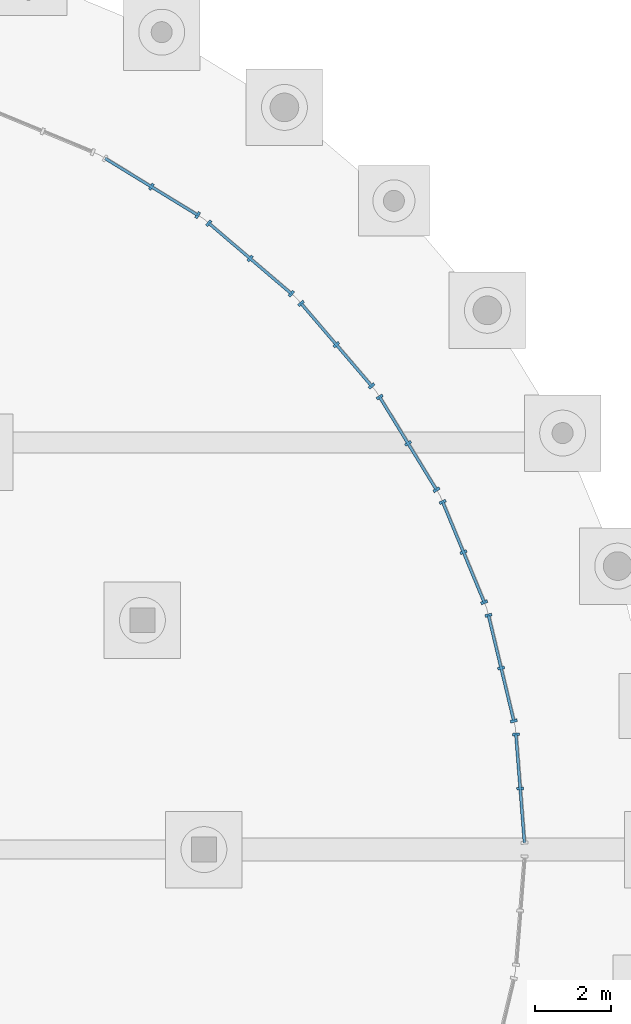
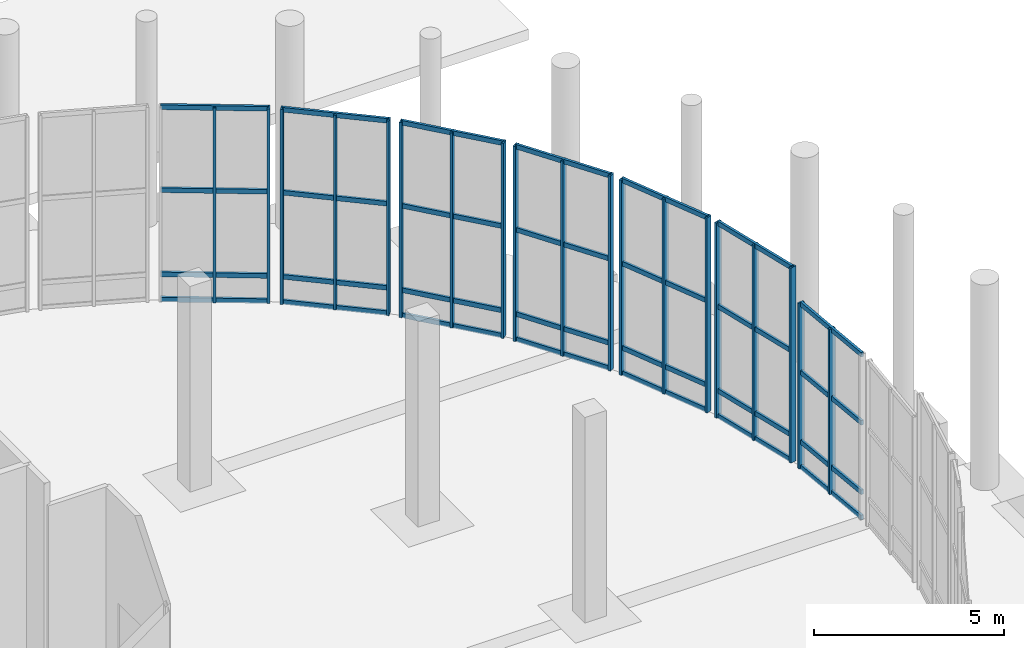
# One storey, part 61 of 117: 47 members, 7 elements without a shape of their own.
"""IFC4 building model written with IfcOpenShell, lengths in metres."""

import ifcopenshell
import ifcopenshell.guid

model = None  # the IFC model being written
_history = None  # IfcOwnerHistory: only IFC2X3 demands one
_inside = {}  # id of a spatial element -> (the spatial element, [elements in it])
_under = {}  # id of a project, library or spatial element -> (it, [spatial elements below it])
_declared = {}  # id of a project -> (the project, [libraries it declares])
_typed = {}  # id of a type object -> (the type object, [elements of that type])
_made_of = {}  # id of a material, layer set ... -> (it, [elements and type objects made of it])


def new_model(schema):
    """Start an empty IFC model of exactly this schema.

    Asked for "IFC4X3", IfcOpenShell would pick the latest addendum, in which some entities
    have other attributes; the version numbers below select the first issue.
    IFC2X3 requires an IfcOwnerHistory on every rooted entity: one is made here for all.
    """
    global model, _history
    if schema == "IFC4X3":
        model = ifcopenshell.file(schema_version=(4, 3, 0, 0))
    else:
        model = ifcopenshell.file(schema=schema)
    _inside.clear()
    _under.clear()
    _declared.clear()
    _typed.clear()
    _made_of.clear()
    _history = None
    if model.schema == "IFC2X3":
        org = make("IfcOrganization", Name="unknown")
        user = make(
            "IfcPersonAndOrganization",
            ThePerson=make("IfcPerson", FamilyName="unknown"),
            TheOrganization=org,
        )
        app = make(
            "IfcApplication",
            ApplicationDeveloper=org,
            Version="unknown",
            ApplicationFullName="unknown",
            ApplicationIdentifier="unknown",
        )
        _history = make(
            "IfcOwnerHistory",
            OwningUser=user,
            OwningApplication=app,
            ChangeAction="ADDED",
            CreationDate=0,
        )
    return model


def make(cls, **values):
    """One entity of the class cls with the attributes given. An attribute that is None is left unset."""
    return model.create_entity(
        cls, **{name: value for name, value in values.items() if value is not None}
    )


def rooted(cls, **values):
    """An entity with a GlobalId (a new one), such as an element, a storey or a relation."""
    return make(cls, GlobalId=ifcopenshell.guid.new(), OwnerHistory=_history, **values)


def si_unit(unit_type, name, prefix=None):
    """IfcSIUnit, for example si_unit("LENGTHUNIT", "METRE", prefix="MILLI")."""
    return make("IfcSIUnit", UnitType=unit_type, Prefix=prefix, Name=name)


def assignment(units):
    """IfcUnitAssignment: the units of a project."""
    return None if units is None else make("IfcUnitAssignment", Units=units)


def point(xyz):
    """IfcCartesianPoint."""
    return None if xyz is None else make("IfcCartesianPoint", Coordinates=xyz)


def direction(xyz):
    """IfcDirection."""
    return None if xyz is None else make("IfcDirection", DirectionRatios=xyz)


def frame(location, z_axis=None, x_axis=None):
    """IfcAxis2Placement3D, a coordinate frame: its origin and axes. An axis left out is left unset."""
    return make(
        "IfcAxis2Placement3D",
        Location=point(location),
        Axis=direction(z_axis),
        RefDirection=direction(x_axis),
    )


def frame_2d(location, x_axis=None):
    """IfcAxis2Placement2D, a coordinate frame in the plane: its origin and x axis."""
    return make(
        "IfcAxis2Placement2D", Location=point(location), RefDirection=direction(x_axis)
    )


def origin():
    """The frame at (0, 0, 0) with its axes left unset."""
    return frame((0.0, 0.0, 0.0))


def origin_2d():
    """The frame at (0, 0) in the plane with its x axis left unset."""
    return frame_2d((0.0, 0.0))


def place(relative_to, where):
    """IfcLocalPlacement: puts the frame where relative to a parent placement (None: the world)."""
    return make(
        "IfcLocalPlacement", PlacementRelTo=relative_to, RelativePlacement=where
    )


def context(
    kind, dimensions, precision=None, world=None, true_north=None, identifier=None
):
    """IfcGeometricRepresentationContext, for example the 3D "Model" context."""
    return make(
        "IfcGeometricRepresentationContext",
        ContextIdentifier=identifier,
        ContextType=kind,
        CoordinateSpaceDimension=dimensions,
        Precision=precision,
        WorldCoordinateSystem=world,
        TrueNorth=true_north,
    )


def subcontext(parent, identifier, kind, view, scale=None):
    """IfcGeometricRepresentationSubContext, for example "Body" below "Model"."""
    return make(
        "IfcGeometricRepresentationSubContext",
        ContextIdentifier=identifier,
        ContextType=kind,
        ParentContext=parent,
        TargetScale=scale,
        TargetView=view,
    )


def project(units=None, contexts=None):
    """IfcProject with its units and contexts."""
    return rooted(
        "IfcProject",
        Name="project",
        RepresentationContexts=contexts,
        UnitsInContext=assignment(units),
    )


def spatial(cls, under=None, at=None, **own):
    """A site, building, storey or space (cls), placed at a placement, below another one or the project."""
    s = rooted(cls, ObjectPlacement=at, **own)
    if under is not None:
        _under.setdefault(under.id(), (under, []))[1].append(s)
    return s


def profile(cls, at=None, kind="AREA", **sizes):
    """A parametric profile (cls). Its sizes go by their IFC names, for example OverallWidth=200.0."""
    return make(cls, ProfileType=kind, Position=at, **sizes)


def rectangle(**sizes):
    """IfcRectangleProfileDef."""
    return profile("IfcRectangleProfileDef", **sizes)


def extrude(swept, where, along, depth):
    """IfcExtrudedAreaSolid: the profile swept, set in the frame where, extruded along a direction by depth."""
    return make(
        "IfcExtrudedAreaSolid",
        SweptArea=swept,
        Position=where,
        ExtrudedDirection=direction(along),
        Depth=depth,
    )


def shape(context_of_items, identifier, shape_type, items):
    """IfcShapeRepresentation: the items that make up one representation, for example the "Body"."""
    return make(
        "IfcShapeRepresentation",
        ContextOfItems=context_of_items,
        RepresentationIdentifier=identifier,
        RepresentationType=shape_type,
        Items=items,
    )


def material(Name=None, Category=None):
    """IfcMaterial."""
    return make("IfcMaterial", Name=Name, Category=Category)


def material_profile(
    of_material, cross_section, Name=None, Category=None, Priority=None
):
    """IfcMaterialProfile: a cross section and its material."""
    return make(
        "IfcMaterialProfile",
        Name=Name,
        Material=of_material,
        Profile=cross_section,
        Priority=Priority,
        Category=Category,
    )


def profile_set(profiles, Name=None, composite=None):
    """IfcMaterialProfileSet."""
    return make(
        "IfcMaterialProfileSet",
        Name=Name,
        MaterialProfiles=profiles,
        CompositeProfile=composite,
    )


def made_of(thing, what):
    """Note that an element or type object is made of a material, layer set ...; save() writes the relation."""
    if what is not None:
        _made_of.setdefault(what.id(), (what, []))[1].append(thing)
    return thing


def type_object(cls, material=None, **own):
    """A type object (cls), such as IfcWallType, which elements share."""
    return made_of(rooted(cls, **own), material)


def element(
    cls,
    number,
    at=None,
    inside=None,
    cuts=None,
    type_object=None,
    material=None,
    context=None,
    identifier="Body",
    shape_type=None,
    held_by="IfcProductDefinitionShape",
    body=None,
    shapes=None,
    **own,
):
    """One element of the class cls, such as IfcWall. Its Tag is "e" and its number.

    at: its placement. inside: the storey or other place that contains it. cuts: it is an
    opening in that element (IfcRelVoidsElement). A single representation is given by context,
    identifier, shape_type and body (its items); several are given by shapes. held_by: the class
    of the entity that holds the representations. save() writes the other relations.
    """
    e = rooted(cls, Tag="e%d" % number, ObjectPlacement=at, **own)
    if body is not None:
        shapes = [shape(context, identifier, shape_type, body)]
    if shapes is not None:
        e.Representation = make(held_by, Representations=shapes)
    if inside is not None:
        _inside.setdefault(inside.id(), (inside, []))[1].append(e)
    if cuts is not None:
        rooted(
            "IfcRelVoidsElement", RelatingBuildingElement=cuts, RelatedOpeningElement=e
        )
    if type_object is not None:
        _typed.setdefault(type_object.id(), (type_object, []))[1].append(e)
    return made_of(e, material)


def aggregate(whole, parts):
    """IfcRelAggregates: a whole, such as a stair, and the parts it consists of."""
    return rooted("IfcRelAggregates", RelatingObject=whole, RelatedObjects=parts)


def save(model, path):
    """Write the relations noted so far, then the file.

    IfcRelAggregates (storeys below a building ...), IfcRelContainedInSpatialStructure (elements
    in a storey), IfcRelDefinesByType, IfcRelAssociatesMaterial and IfcRelDeclares: one each for
    every whole, place, type object, material and project.
    """
    for whole, parts in _under.values():
        aggregate(whole, parts)
    for where, things in _inside.values():
        rooted(
            "IfcRelContainedInSpatialStructure",
            RelatedElements=things,
            RelatingStructure=where,
        )
    for kind, things in _typed.values():
        rooted("IfcRelDefinesByType", RelatedObjects=things, RelatingType=kind)
    for what, things in _made_of.values():
        rooted("IfcRelAssociatesMaterial", RelatedObjects=things, RelatingMaterial=what)
    for by, libraries in _declared.values():
        rooted("IfcRelDeclares", RelatingContext=by, RelatedDefinitions=libraries)
    model.write(path)


model = new_model("IFC4")

# Units and contexts
model_context = context("Model", 3, precision=1e-05, world=origin(), true_north=direction((0.0, 1.0)))
body_context = subcontext(model_context, "Body", "Model", "MODEL_VIEW")
ifc_project = project(units=[si_unit("LENGTHUNIT", "METRE"), si_unit("AREAUNIT", "SQUARE_METRE"), si_unit("VOLUMEUNIT", "CUBIC_METRE"), si_unit("PLANEANGLEUNIT", "RADIAN"), si_unit("MASSUNIT", "GRAM", prefix="KILO")], contexts=[model_context])

# Site, building, storey
site_placement = place(None, origin())
site = spatial("IfcSite", under=ifc_project, at=site_placement, CompositionType="ELEMENT")
building_placement = place(site_placement, origin())
building = spatial("IfcBuilding", under=site, at=building_placement, Name="Kamomehara Wholesale Market", CompositionType="ELEMENT")
storey_placement = place(building_placement, origin())
storey = spatial("IfcBuildingStorey", under=building, at=storey_placement, Name="L00", CompositionType="ELEMENT", Elevation=0.0)

# Curtain wall, members
ifc_material_1 = material(Name="Anodised aluminium 6063-T5", Category="aluminium")
curtain_wall_type = type_object("IfcCurtainWallType", Name="CW-UN-07", PredefinedType="NOTDEFINED", material=ifc_material_1)
curtain_wall_1_placement = place(storey_placement, origin())
curtain_wall_1 = element("IfcCurtainWall", 1, at=curtain_wall_1_placement, inside=storey, type_object=curtain_wall_type, Name="Unitised curtain wall CW-032", PredefinedType="NOTDEFINED")
ifc_material_2 = material(Name="Anodised aluminium 6063-T5", Category="aluminium")
ifc_material_profile_1 = material_profile(ifc_material_2, rectangle(XDim=0.074951171875, YDim=0.179931640625, at=origin_2d()), Name="ALU-MUL-75x180")
ifc_profile_set_1 = profile_set([ifc_material_profile_1], Name="Anodised aluminium 6063-T5")
member_type_1 = type_object("IfcMemberType", Name="CW-MUL-180", PredefinedType="MULLION", material=ifc_profile_set_1)
member_1_placement = place(storey_placement, frame((190.6259765625, 149.341064453125, 0.0), z_axis=(0.0, 0.0, 1.0), x_axis=(0.852707640213, -0.52238843816, 0.0)))
member_1 = element("IfcMember", 2, at=member_1_placement, type_object=member_type_1, Name="Mullion CW-032.1", PredefinedType="MULLION", context=body_context, shape_type="SweptSolid", body=[
    extrude(rectangle(XDim=0.074951171875, YDim=0.179931640625, at=origin_2d()), origin(), (0.0, 0.0, 1.0), 6.2548828125),
])
member_2_placement = place(storey_placement, frame((191.837890625, 148.597900390625, 0.0), z_axis=(0.0, 0.0, 1.0), x_axis=(0.852707640213, -0.52238843816, 0.0)))
member_2 = element("IfcMember", 3, at=member_2_placement, type_object=member_type_1, Name="Mullion CW-032.2", PredefinedType="MULLION", context=body_context, shape_type="SweptSolid", body=[
    extrude(rectangle(XDim=0.074951171875, YDim=0.179931640625, at=origin_2d()), origin(), (0.0, 0.0, 1.0), 6.2548828125),
])

curtain_wall_2_placement = place(storey_placement, origin())
curtain_wall_2 = element("IfcCurtainWall", 4, at=curtain_wall_2_placement, inside=storey, type_object=curtain_wall_type, Name="Unitised curtain wall CW-033", PredefinedType="NOTDEFINED")
member_3_placement = place(storey_placement, frame((192.1279296875, 148.386962890625, 0.0), z_axis=(0.0, 0.0, 1.0), x_axis=(0.760374226673, -0.649485208, 0.0)))
member_3 = element("IfcMember", 5, at=member_3_placement, type_object=member_type_1, Name="Mullion CW-033.0", PredefinedType="MULLION", context=body_context, shape_type="SweptSolid", body=[
    extrude(rectangle(XDim=0.074951171875, YDim=0.179931640625, at=origin_2d()), origin(), (0.0, 0.0, 1.0), 6.2548828125),
])
member_4_placement = place(storey_placement, frame((193.2080078125, 147.464111328125, 0.0), z_axis=(0.0, 0.0, 1.0), x_axis=(0.760374226673, -0.649485208, 0.0)))
member_4 = element("IfcMember", 6, at=member_4_placement, type_object=member_type_1, Name="Mullion CW-033.1", PredefinedType="MULLION", context=body_context, shape_type="SweptSolid", body=[
    extrude(rectangle(XDim=0.074951171875, YDim=0.179931640625, at=origin_2d()), origin(), (0.0, 0.0, 1.0), 6.2548828125),
])
member_5_placement = place(storey_placement, frame((194.2880859375, 146.5419921875, 0.0), z_axis=(0.0, 0.0, 1.0), x_axis=(0.760374226673, -0.649485208, 0.0)))
member_5 = element("IfcMember", 7, at=member_5_placement, type_object=member_type_1, Name="Mullion CW-033.2", PredefinedType="MULLION", context=body_context, shape_type="SweptSolid", body=[
    extrude(rectangle(XDim=0.074951171875, YDim=0.179931640625, at=origin_2d()), origin(), (0.0, 0.0, 1.0), 6.2548828125),
])

curtain_wall_3_placement = place(storey_placement, origin())
curtain_wall_3 = element("IfcCurtainWall", 8, at=curtain_wall_3_placement, inside=storey, type_object=curtain_wall_type, Name="Unitised curtain wall CW-034", PredefinedType="NOTDEFINED")
member_6_placement = place(storey_placement, frame((194.5419921875, 146.2880859375, 0.0), z_axis=(0.0, 0.0, 1.0), x_axis=(0.649485208, -0.760374226673, 0.0)))
member_6 = element("IfcMember", 9, at=member_6_placement, type_object=member_type_1, Name="Mullion CW-034.0", PredefinedType="MULLION", context=body_context, shape_type="SweptSolid", body=[
    extrude(rectangle(XDim=0.074951171875, YDim=0.179931640625, at=origin_2d()), origin(), (0.0, 0.0, 1.0), 6.264892578125),
])
member_7_placement = place(storey_placement, frame((195.464111328125, 145.2080078125, 0.0), z_axis=(0.0, 0.0, 1.0), x_axis=(0.649485208, -0.760374226673, 0.0)))
member_7 = element("IfcMember", 10, at=member_7_placement, type_object=member_type_1, Name="Mullion CW-034.1", PredefinedType="MULLION", context=body_context, shape_type="SweptSolid", body=[
    extrude(rectangle(XDim=0.074951171875, YDim=0.179931640625, at=origin_2d()), origin(), (0.0, 0.0, 1.0), 6.264892578125),
])
member_8_placement = place(storey_placement, frame((196.386962890625, 144.1279296875, 0.0), z_axis=(0.0, 0.0, 1.0), x_axis=(0.649485208, -0.760374226673, 0.0)))
member_8 = element("IfcMember", 11, at=member_8_placement, type_object=member_type_1, Name="Mullion CW-034.2", PredefinedType="MULLION", context=body_context, shape_type="SweptSolid", body=[
    extrude(rectangle(XDim=0.074951171875, YDim=0.179931640625, at=origin_2d()), origin(), (0.0, 0.0, 1.0), 6.264892578125),
])

curtain_wall_4_placement = place(storey_placement, origin())
curtain_wall_4 = element("IfcCurtainWall", 12, at=curtain_wall_4_placement, inside=storey, type_object=curtain_wall_type, Name="Unitised curtain wall CW-035", PredefinedType="NOTDEFINED")
member_9_placement = place(storey_placement, frame((196.597900390625, 143.837890625, 0.0), z_axis=(0.0, 0.0, 1.0), x_axis=(0.52238843816, -0.852707640213, 0.0)))
member_9 = element("IfcMember", 13, at=member_9_placement, type_object=member_type_1, Name="Mullion CW-035.0", PredefinedType="MULLION", context=body_context, shape_type="SweptSolid", body=[
    extrude(rectangle(XDim=0.074951171875, YDim=0.179931640625, at=origin_2d()), origin(), (0.0, 0.0, 1.0), 6.264892578125),
])
member_10_placement = place(storey_placement, frame((197.341064453125, 142.6259765625, 0.0), z_axis=(0.0, 0.0, 1.0), x_axis=(0.52238843816, -0.852707640213, 0.0)))
member_10 = element("IfcMember", 14, at=member_10_placement, type_object=member_type_1, Name="Mullion CW-035.1", PredefinedType="MULLION", context=body_context, shape_type="SweptSolid", body=[
    extrude(rectangle(XDim=0.074951171875, YDim=0.179931640625, at=origin_2d()), origin(), (0.0, 0.0, 1.0), 6.264892578125),
])
member_11_placement = place(storey_placement, frame((198.0830078125, 141.4140625, 0.0), z_axis=(0.0, 0.0, 1.0), x_axis=(0.52238843816, -0.852707640213, 0.0)))
member_11 = element("IfcMember", 15, at=member_11_placement, type_object=member_type_1, Name="Mullion CW-035.2", PredefinedType="MULLION", context=body_context, shape_type="SweptSolid", body=[
    extrude(rectangle(XDim=0.074951171875, YDim=0.179931640625, at=origin_2d()), origin(), (0.0, 0.0, 1.0), 6.264892578125),
])

curtain_wall_5_placement = place(storey_placement, origin())
curtain_wall_5 = element("IfcCurtainWall", 16, at=curtain_wall_5_placement, inside=storey, type_object=curtain_wall_type, Name="Unitised curtain wall CW-036", PredefinedType="NOTDEFINED")
member_12_placement = place(storey_placement, frame((198.24609375, 141.094970703125, 0.0), z_axis=(0.0, 0.0, 1.0), x_axis=(0.382589906914, -0.923918266476, 0.0)))
member_12 = element("IfcMember", 17, at=member_12_placement, type_object=member_type_1, Name="Mullion CW-036.0", PredefinedType="MULLION", context=body_context, shape_type="SweptSolid", body=[
    extrude(rectangle(XDim=0.074951171875, YDim=0.179931640625, at=origin_2d()), origin(), (0.0, 0.0, 1.0), 6.264892578125),
])
member_13_placement = place(storey_placement, frame((198.7900390625, 139.781982421875, 0.0), z_axis=(0.0, 0.0, 1.0), x_axis=(0.382589906914, -0.923918266476, 0.0)))
member_13 = element("IfcMember", 18, at=member_13_placement, type_object=member_type_1, Name="Mullion CW-036.1", PredefinedType="MULLION", context=body_context, shape_type="SweptSolid", body=[
    extrude(rectangle(XDim=0.074951171875, YDim=0.179931640625, at=origin_2d()), origin(), (0.0, 0.0, 1.0), 6.264892578125),
])
member_14_placement = place(storey_placement, frame((199.3330078125, 138.469970703125, 0.0), z_axis=(0.0, 0.0, 1.0), x_axis=(0.382589906914, -0.923918266476, 0.0)))
member_14 = element("IfcMember", 19, at=member_14_placement, type_object=member_type_1, Name="Mullion CW-036.2", PredefinedType="MULLION", context=body_context, shape_type="SweptSolid", body=[
    extrude(rectangle(XDim=0.074951171875, YDim=0.179931640625, at=origin_2d()), origin(), (0.0, 0.0, 1.0), 6.264892578125),
])

curtain_wall_6_placement = place(storey_placement, origin())
curtain_wall_6 = element("IfcCurtainWall", 20, at=curtain_wall_6_placement, inside=storey, type_object=curtain_wall_type, Name="Unitised curtain wall CW-037", PredefinedType="NOTDEFINED")
member_15_placement = place(storey_placement, frame((199.444091796875, 138.12890625, 0.0), z_axis=(0.0, 0.0, 1.0), x_axis=(0.233333353333, -0.972396804922, 0.0)))
member_15 = element("IfcMember", 21, at=member_15_placement, type_object=member_type_1, Name="Mullion CW-037.0", PredefinedType="MULLION", context=body_context, shape_type="SweptSolid", body=[
    extrude(rectangle(XDim=0.074951171875, YDim=0.179931640625, at=origin_2d()), origin(), (0.0, 0.0, 1.0), 6.264892578125),
])
member_16_placement = place(storey_placement, frame((199.77490234375, 136.748046875, 0.0), z_axis=(0.0, 0.0, 1.0), x_axis=(0.233333353333, -0.972396804922, 0.0)))
member_16 = element("IfcMember", 22, at=member_16_placement, type_object=member_type_1, Name="Mullion CW-037.1", PredefinedType="MULLION", context=body_context, shape_type="SweptSolid", body=[
    extrude(rectangle(XDim=0.074951171875, YDim=0.179931640625, at=origin_2d()), origin(), (0.0, 0.0, 1.0), 6.264892578125),
])
member_17_placement = place(storey_placement, frame((200.10693359375, 135.365966796875, 0.0), z_axis=(0.0, 0.0, 1.0), x_axis=(0.233333353333, -0.972396804922, 0.0)))
member_17 = element("IfcMember", 23, at=member_17_placement, type_object=member_type_1, Name="Mullion CW-037.2", PredefinedType="MULLION", context=body_context, shape_type="SweptSolid", body=[
    extrude(rectangle(XDim=0.074951171875, YDim=0.179931640625, at=origin_2d()), origin(), (0.0, 0.0, 1.0), 6.264892578125),
])

curtain_wall_7_placement = place(storey_placement, origin())
curtain_wall_7 = element("IfcCurtainWall", 24, at=curtain_wall_7_placement, inside=storey, type_object=curtain_wall_type, Name="Unitised curtain wall CW-038", PredefinedType="NOTDEFINED")
member_18_placement = place(storey_placement, frame((200.1630859375, 135.011962890625, 0.0), z_axis=(0.0, 0.0, 1.0), x_axis=(0.078473015312, -0.99691623814, 0.0)))
member_18 = element("IfcMember", 25, at=member_18_placement, type_object=member_type_1, Name="Mullion CW-038.0", PredefinedType="MULLION", context=body_context, shape_type="SweptSolid", body=[
    extrude(rectangle(XDim=0.074951171875, YDim=0.179931640625, at=origin_2d()), origin(), (0.0, 0.0, 1.0), 5.30810546875),
])
member_19_placement = place(storey_placement, frame((200.27392578125, 133.595947265625, 0.0), z_axis=(0.0, 0.0, 1.0), x_axis=(0.078473015312, -0.99691623814, 0.0)))
member_19 = element("IfcMember", 26, at=member_19_placement, type_object=member_type_1, Name="Mullion CW-038.1", PredefinedType="MULLION", context=body_context, shape_type="SweptSolid", body=[
    extrude(rectangle(XDim=0.074951171875, YDim=0.179931640625, at=origin_2d()), origin(), (0.0, 0.0, 1.0), 5.30810546875),
])

# Member
ifc_material_3 = material(Name="Anodised aluminium 6063-T5", Category="aluminium")
ifc_material_profile_2 = material_profile(ifc_material_3, rectangle(XDim=0.074951171875, YDim=0.14990234375, at=origin_2d()), Name="ALU-TRN-75x150")
ifc_profile_set_2 = profile_set([ifc_material_profile_2], Name="Anodised aluminium 6063-T5")
member_type_2 = type_object("IfcMemberType", Name="CW-TRN-150", PredefinedType="USERDEFINED", material=ifc_profile_set_2)
member_20_placement = place(storey_placement, frame((189.4140625, 150.0830078125, 0.0400390625), z_axis=(0.852674071638, -0.522443229027, 0.0), x_axis=(0.522443229027, 0.852674071638, 0.0)))
member_20 = element("IfcMember", 27, at=member_20_placement, type_object=member_type_2, Name="Transom CW-032.0", ObjectType="TRANSOM", PredefinedType="USERDEFINED", context=body_context, shape_type="SweptSolid", body=[
    extrude(rectangle(XDim=0.074951171875, YDim=0.14990234375, at=origin_2d()), origin(), (0.0, 0.0, 1.0), 2.842529296875),
])

member_21_placement = place(storey_placement, frame((189.4140625, 150.0830078125, 0.85009765625), z_axis=(0.852674071638, -0.522443229027, 0.0), x_axis=(0.522443229027, 0.852674071638, 0.0)))
member_21 = element("IfcMember", 28, at=member_21_placement, type_object=member_type_2, Name="Transom CW-032.1", ObjectType="TRANSOM", PredefinedType="USERDEFINED", context=body_context, shape_type="SweptSolid", body=[
    extrude(rectangle(XDim=0.074951171875, YDim=0.14990234375, at=origin_2d()), origin(), (0.0, 0.0, 1.0), 2.842529296875),
])

member_22_placement = place(storey_placement, frame((189.4140625, 150.0830078125, 3.552001953125), z_axis=(0.852674071638, -0.522443229027, 0.0), x_axis=(0.522443229027, 0.852674071638, 0.0)))
member_22 = element("IfcMember", 29, at=member_22_placement, type_object=member_type_2, Name="Transom CW-032.2", ObjectType="TRANSOM", PredefinedType="USERDEFINED", context=body_context, shape_type="SweptSolid", body=[
    extrude(rectangle(XDim=0.074951171875, YDim=0.14990234375, at=origin_2d()), origin(), (0.0, 0.0, 1.0), 2.842529296875),
])

member_23_placement = place(storey_placement, frame((189.4140625, 150.0830078125, 6.215087890625), z_axis=(0.852674071638, -0.522443229027, 0.0), x_axis=(0.522443229027, 0.852674071638, 0.0)))
member_23 = element("IfcMember", 30, at=member_23_placement, type_object=member_type_2, Name="Transom CW-032.3", ObjectType="TRANSOM", PredefinedType="USERDEFINED", context=body_context, shape_type="SweptSolid", body=[
    extrude(rectangle(XDim=0.074951171875, YDim=0.14990234375, at=origin_2d()), origin(), (0.0, 0.0, 1.0), 2.842529296875),
])

aggregate(curtain_wall_1, [member_1, member_2, member_20, member_21, member_22, member_23])

member_24_placement = place(storey_placement, frame((192.1279296875, 148.386962890625, 0.0400390625), z_axis=(0.760401972076, -0.649452724116, 0.0), x_axis=(0.649452724116, 0.760401972076, 0.0)))
member_24 = element("IfcMember", 31, at=member_24_placement, type_object=member_type_2, Name="Transom CW-033.0", ObjectType="TRANSOM", PredefinedType="USERDEFINED", context=body_context, shape_type="SweptSolid", body=[
    extrude(rectangle(XDim=0.074951171875, YDim=0.14990234375, at=origin_2d()), origin(), (0.0, 0.0, 1.0), 2.8408203125),
])

member_25_placement = place(storey_placement, frame((192.1279296875, 148.386962890625, 0.85009765625), z_axis=(0.760401972076, -0.649452724116, 0.0), x_axis=(0.649452724116, 0.760401972076, 0.0)))
member_25 = element("IfcMember", 32, at=member_25_placement, type_object=member_type_2, Name="Transom CW-033.1", ObjectType="TRANSOM", PredefinedType="USERDEFINED", context=body_context, shape_type="SweptSolid", body=[
    extrude(rectangle(XDim=0.074951171875, YDim=0.14990234375, at=origin_2d()), origin(), (0.0, 0.0, 1.0), 2.8408203125),
])

member_26_placement = place(storey_placement, frame((192.1279296875, 148.386962890625, 3.552001953125), z_axis=(0.760401972076, -0.649452724116, 0.0), x_axis=(0.649452724116, 0.760401972076, 0.0)))
member_26 = element("IfcMember", 33, at=member_26_placement, type_object=member_type_2, Name="Transom CW-033.2", ObjectType="TRANSOM", PredefinedType="USERDEFINED", context=body_context, shape_type="SweptSolid", body=[
    extrude(rectangle(XDim=0.074951171875, YDim=0.14990234375, at=origin_2d()), origin(), (0.0, 0.0, 1.0), 2.8408203125),
])

member_27_placement = place(storey_placement, frame((192.1279296875, 148.386962890625, 6.215087890625), z_axis=(0.760401972076, -0.649452724116, 0.0), x_axis=(0.649452724116, 0.760401972076, 0.0)))
member_27 = element("IfcMember", 34, at=member_27_placement, type_object=member_type_2, Name="Transom CW-033.3", ObjectType="TRANSOM", PredefinedType="USERDEFINED", context=body_context, shape_type="SweptSolid", body=[
    extrude(rectangle(XDim=0.074951171875, YDim=0.14990234375, at=origin_2d()), origin(), (0.0, 0.0, 1.0), 2.8408203125),
])

aggregate(curtain_wall_2, [member_3, member_4, member_5, member_24, member_25, member_26, member_27])

member_28_placement = place(storey_placement, frame((194.5419921875, 146.2880859375, 0.0400390625), z_axis=(0.649452724116, -0.760401972076, 0.0), x_axis=(0.760401972076, 0.649452724116, 0.0)))
member_28 = element("IfcMember", 35, at=member_28_placement, type_object=member_type_2, Name="Transom CW-034.0", ObjectType="TRANSOM", PredefinedType="USERDEFINED", context=body_context, shape_type="SweptSolid", body=[
    extrude(rectangle(XDim=0.074951171875, YDim=0.14990234375, at=origin_2d()), origin(), (0.0, 0.0, 1.0), 2.8408203125),
])

member_29_placement = place(storey_placement, frame((194.5419921875, 146.2880859375, 0.85009765625), z_axis=(0.649452724116, -0.760401972076, 0.0), x_axis=(0.760401972076, 0.649452724116, 0.0)))
member_29 = element("IfcMember", 36, at=member_29_placement, type_object=member_type_2, Name="Transom CW-034.1", ObjectType="TRANSOM", PredefinedType="USERDEFINED", context=body_context, shape_type="SweptSolid", body=[
    extrude(rectangle(XDim=0.074951171875, YDim=0.14990234375, at=origin_2d()), origin(), (0.0, 0.0, 1.0), 2.8408203125),
])

member_30_placement = place(storey_placement, frame((194.5419921875, 146.2880859375, 3.556884765625), z_axis=(0.649452724116, -0.760401972076, 0.0), x_axis=(0.760401972076, 0.649452724116, 0.0)))
member_30 = element("IfcMember", 37, at=member_30_placement, type_object=member_type_2, Name="Transom CW-034.2", ObjectType="TRANSOM", PredefinedType="USERDEFINED", context=body_context, shape_type="SweptSolid", body=[
    extrude(rectangle(XDim=0.074951171875, YDim=0.14990234375, at=origin_2d()), origin(), (0.0, 0.0, 1.0), 2.8408203125),
])

member_31_placement = place(storey_placement, frame((194.5419921875, 146.2880859375, 6.22509765625), z_axis=(0.649452724116, -0.760401972076, 0.0), x_axis=(0.760401972076, 0.649452724116, 0.0)))
member_31 = element("IfcMember", 38, at=member_31_placement, type_object=member_type_2, Name="Transom CW-034.3", ObjectType="TRANSOM", PredefinedType="USERDEFINED", context=body_context, shape_type="SweptSolid", body=[
    extrude(rectangle(XDim=0.074951171875, YDim=0.14990234375, at=origin_2d()), origin(), (0.0, 0.0, 1.0), 2.8408203125),
])

aggregate(curtain_wall_3, [member_6, member_7, member_8, member_28, member_29, member_30, member_31])

member_32_placement = place(storey_placement, frame((196.597900390625, 143.837890625, 0.0400390625), z_axis=(0.522443229027, -0.852674071638, 0.0), x_axis=(0.852674071638, 0.522443229027, 0.0)))
member_32 = element("IfcMember", 39, at=member_32_placement, type_object=member_type_2, Name="Transom CW-035.0", ObjectType="TRANSOM", PredefinedType="USERDEFINED", context=body_context, shape_type="SweptSolid", body=[
    extrude(rectangle(XDim=0.074951171875, YDim=0.14990234375, at=origin_2d()), origin(), (0.0, 0.0, 1.0), 2.842529296875),
])

member_33_placement = place(storey_placement, frame((196.597900390625, 143.837890625, 0.85009765625), z_axis=(0.522443229027, -0.852674071638, 0.0), x_axis=(0.852674071638, 0.522443229027, 0.0)))
member_33 = element("IfcMember", 40, at=member_33_placement, type_object=member_type_2, Name="Transom CW-035.1", ObjectType="TRANSOM", PredefinedType="USERDEFINED", context=body_context, shape_type="SweptSolid", body=[
    extrude(rectangle(XDim=0.074951171875, YDim=0.14990234375, at=origin_2d()), origin(), (0.0, 0.0, 1.0), 2.842529296875),
])

member_34_placement = place(storey_placement, frame((196.597900390625, 143.837890625, 3.556884765625), z_axis=(0.522443229027, -0.852674071638, 0.0), x_axis=(0.852674071638, 0.522443229027, 0.0)))
member_34 = element("IfcMember", 41, at=member_34_placement, type_object=member_type_2, Name="Transom CW-035.2", ObjectType="TRANSOM", PredefinedType="USERDEFINED", context=body_context, shape_type="SweptSolid", body=[
    extrude(rectangle(XDim=0.074951171875, YDim=0.14990234375, at=origin_2d()), origin(), (0.0, 0.0, 1.0), 2.842529296875),
])

member_35_placement = place(storey_placement, frame((196.597900390625, 143.837890625, 6.22509765625), z_axis=(0.522443229027, -0.852674071638, 0.0), x_axis=(0.852674071638, 0.522443229027, 0.0)))
member_35 = element("IfcMember", 42, at=member_35_placement, type_object=member_type_2, Name="Transom CW-035.3", ObjectType="TRANSOM", PredefinedType="USERDEFINED", context=body_context, shape_type="SweptSolid", body=[
    extrude(rectangle(XDim=0.074951171875, YDim=0.14990234375, at=origin_2d()), origin(), (0.0, 0.0, 1.0), 2.842529296875),
])

aggregate(curtain_wall_4, [member_9, member_10, member_11, member_32, member_33, member_34, member_35])

member_36_placement = place(storey_placement, frame((198.24609375, 141.094970703125, 0.0400390625), z_axis=(0.382564297979, -0.923928870591, 0.0), x_axis=(0.923928870591, 0.382564297979, 0.0)))
member_36 = element("IfcMember", 43, at=member_36_placement, type_object=member_type_2, Name="Transom CW-036.0", ObjectType="TRANSOM", PredefinedType="USERDEFINED", context=body_context, shape_type="SweptSolid", body=[
    extrude(rectangle(XDim=0.074951171875, YDim=0.14990234375, at=origin_2d()), origin(), (0.0, 0.0, 1.0), 2.841064453125),
])

member_37_placement = place(storey_placement, frame((198.24609375, 141.094970703125, 0.85009765625), z_axis=(0.382564297979, -0.923928870591, 0.0), x_axis=(0.923928870591, 0.382564297979, 0.0)))
member_37 = element("IfcMember", 44, at=member_37_placement, type_object=member_type_2, Name="Transom CW-036.1", ObjectType="TRANSOM", PredefinedType="USERDEFINED", context=body_context, shape_type="SweptSolid", body=[
    extrude(rectangle(XDim=0.074951171875, YDim=0.14990234375, at=origin_2d()), origin(), (0.0, 0.0, 1.0), 2.841064453125),
])

member_38_placement = place(storey_placement, frame((198.24609375, 141.094970703125, 3.556884765625), z_axis=(0.382564297979, -0.923928870591, 0.0), x_axis=(0.923928870591, 0.382564297979, 0.0)))
member_38 = element("IfcMember", 45, at=member_38_placement, type_object=member_type_2, Name="Transom CW-036.2", ObjectType="TRANSOM", PredefinedType="USERDEFINED", context=body_context, shape_type="SweptSolid", body=[
    extrude(rectangle(XDim=0.074951171875, YDim=0.14990234375, at=origin_2d()), origin(), (0.0, 0.0, 1.0), 2.841064453125),
])

member_39_placement = place(storey_placement, frame((198.24609375, 141.094970703125, 6.22509765625), z_axis=(0.382564297979, -0.923928870591, 0.0), x_axis=(0.923928870591, 0.382564297979, 0.0)))
member_39 = element("IfcMember", 46, at=member_39_placement, type_object=member_type_2, Name="Transom CW-036.3", ObjectType="TRANSOM", PredefinedType="USERDEFINED", context=body_context, shape_type="SweptSolid", body=[
    extrude(rectangle(XDim=0.074951171875, YDim=0.14990234375, at=origin_2d()), origin(), (0.0, 0.0, 1.0), 2.841064453125),
])

aggregate(curtain_wall_5, [member_12, member_13, member_14, member_36, member_37, member_38, member_39])

member_40_placement = place(storey_placement, frame((199.444091796875, 138.12890625, 0.0400390625), z_axis=(0.23328520707, -0.972408356691, 0.0), x_axis=(0.972408356691, 0.23328520707, 0.0)))
member_40 = element("IfcMember", 47, at=member_40_placement, type_object=member_type_2, Name="Transom CW-037.0", ObjectType="TRANSOM", PredefinedType="USERDEFINED", context=body_context, shape_type="SweptSolid", body=[
    extrude(rectangle(XDim=0.074951171875, YDim=0.14990234375, at=origin_2d()), origin(), (0.0, 0.0, 1.0), 2.84130859375),
])

member_41_placement = place(storey_placement, frame((199.444091796875, 138.12890625, 0.85009765625), z_axis=(0.23328520707, -0.972408356691, 0.0), x_axis=(0.972408356691, 0.23328520707, 0.0)))
member_41 = element("IfcMember", 48, at=member_41_placement, type_object=member_type_2, Name="Transom CW-037.1", ObjectType="TRANSOM", PredefinedType="USERDEFINED", context=body_context, shape_type="SweptSolid", body=[
    extrude(rectangle(XDim=0.074951171875, YDim=0.14990234375, at=origin_2d()), origin(), (0.0, 0.0, 1.0), 2.84130859375),
])

member_42_placement = place(storey_placement, frame((199.444091796875, 138.12890625, 3.556884765625), z_axis=(0.23328520707, -0.972408356691, 0.0), x_axis=(0.972408356691, 0.23328520707, 0.0)))
member_42 = element("IfcMember", 49, at=member_42_placement, type_object=member_type_2, Name="Transom CW-037.2", ObjectType="TRANSOM", PredefinedType="USERDEFINED", context=body_context, shape_type="SweptSolid", body=[
    extrude(rectangle(XDim=0.074951171875, YDim=0.14990234375, at=origin_2d()), origin(), (0.0, 0.0, 1.0), 2.84130859375),
])

member_43_placement = place(storey_placement, frame((199.444091796875, 138.12890625, 6.22509765625), z_axis=(0.23328520707, -0.972408356691, 0.0), x_axis=(0.972408356691, 0.23328520707, 0.0)))
member_43 = element("IfcMember", 50, at=member_43_placement, type_object=member_type_2, Name="Transom CW-037.3", ObjectType="TRANSOM", PredefinedType="USERDEFINED", context=body_context, shape_type="SweptSolid", body=[
    extrude(rectangle(XDim=0.074951171875, YDim=0.14990234375, at=origin_2d()), origin(), (0.0, 0.0, 1.0), 2.84130859375),
])

aggregate(curtain_wall_6, [member_15, member_16, member_17, member_40, member_41, member_42, member_43])

member_44_placement = place(storey_placement, frame((200.1630859375, 135.011962890625, 0.0400390625), z_axis=(0.078437356733, -0.996919044391, 0.0), x_axis=(0.996919044391, 0.078437356733, 0.0)))
member_44 = element("IfcMember", 51, at=member_44_placement, type_object=member_type_2, Name="Transom CW-038.0", ObjectType="TRANSOM", PredefinedType="USERDEFINED", context=body_context, shape_type="SweptSolid", body=[
    extrude(rectangle(XDim=0.074951171875, YDim=0.14990234375, at=origin_2d()), origin(), (0.0, 0.0, 1.0), 2.841796875),
])

member_45_placement = place(storey_placement, frame((200.1630859375, 135.011962890625, 0.85009765625), z_axis=(0.078437356733, -0.996919044391, 0.0), x_axis=(0.996919044391, 0.078437356733, 0.0)))
member_45 = element("IfcMember", 52, at=member_45_placement, type_object=member_type_2, Name="Transom CW-038.1", ObjectType="TRANSOM", PredefinedType="USERDEFINED", context=body_context, shape_type="SweptSolid", body=[
    extrude(rectangle(XDim=0.074951171875, YDim=0.14990234375, at=origin_2d()), origin(), (0.0, 0.0, 1.0), 2.841796875),
])

member_46_placement = place(storey_placement, frame((200.1630859375, 135.011962890625, 3.0791015625), z_axis=(0.078437356733, -0.996919044391, 0.0), x_axis=(0.996919044391, 0.078437356733, 0.0)))
member_46 = element("IfcMember", 53, at=member_46_placement, type_object=member_type_2, Name="Transom CW-038.2", ObjectType="TRANSOM", PredefinedType="USERDEFINED", context=body_context, shape_type="SweptSolid", body=[
    extrude(rectangle(XDim=0.074951171875, YDim=0.14990234375, at=origin_2d()), origin(), (0.0, 0.0, 1.0), 2.841796875),
])

member_47_placement = place(storey_placement, frame((200.1630859375, 135.011962890625, 5.26806640625), z_axis=(0.078437356733, -0.996919044391, 0.0), x_axis=(0.996919044391, 0.078437356733, 0.0)))
member_47 = element("IfcMember", 54, at=member_47_placement, type_object=member_type_2, Name="Transom CW-038.3", ObjectType="TRANSOM", PredefinedType="USERDEFINED", context=body_context, shape_type="SweptSolid", body=[
    extrude(rectangle(XDim=0.074951171875, YDim=0.14990234375, at=origin_2d()), origin(), (0.0, 0.0, 1.0), 2.841796875),
])

aggregate(curtain_wall_7, [member_18, member_19, member_44, member_45, member_46, member_47])

save(model, "model.ifc")
